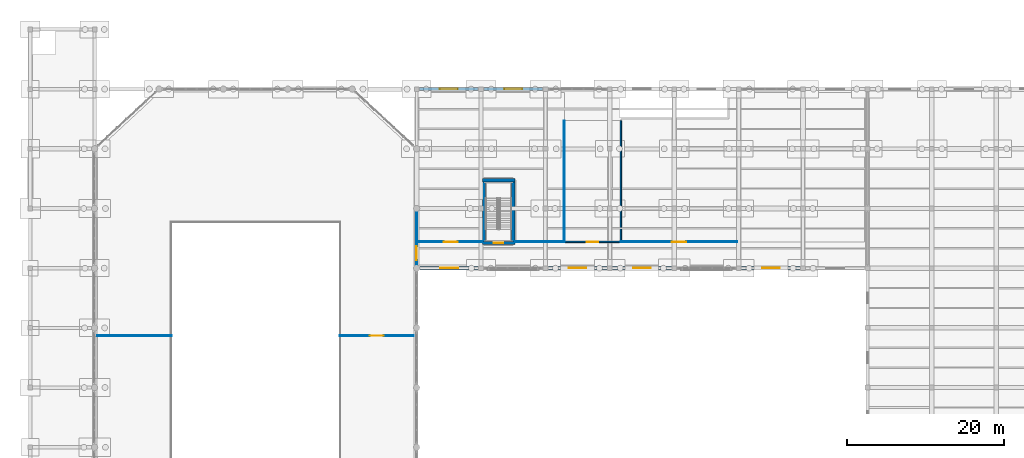
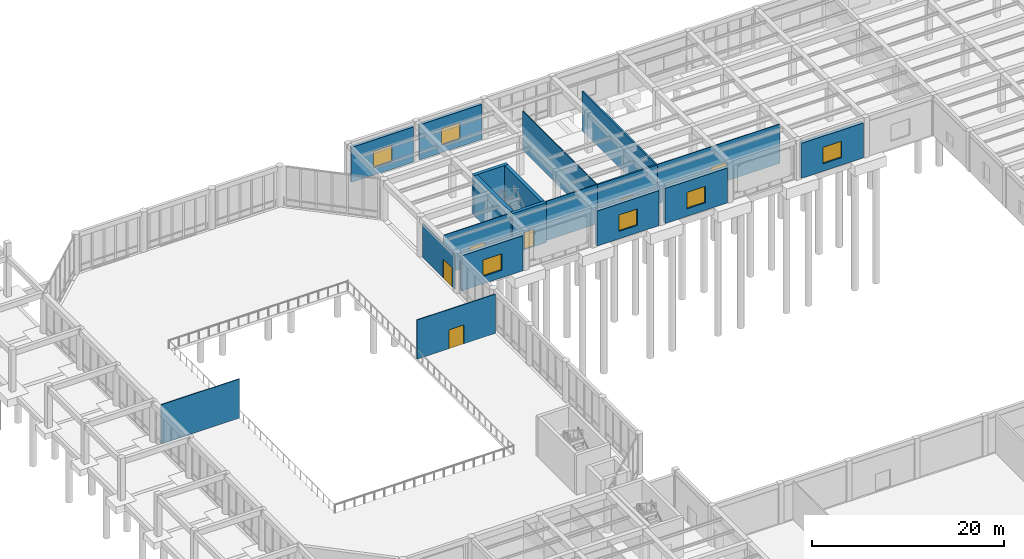
# One storey, part 45 of 64: 19 walls, 6 doors, 6 windows, 12 openings.
"""IFC4 building model written with IfcOpenShell, lengths in metres."""

from ifc_helpers import new_model, si_unit, direction, frame, frame_2d, origin, place, context, subcontext, project, spatial, rectangle, extrude, material, layer, layer_set, type_object, element, fill, save


model = new_model("IFC4")

# Units and contexts
model_context = context("Model", 3, precision=1e-05, world=origin(), true_north=direction((0.0, 1.0)))
body_context = subcontext(model_context, "Body", "Model", "MODEL_VIEW")
ifc_project = project(units=[si_unit("LENGTHUNIT", "METRE"), si_unit("AREAUNIT", "SQUARE_METRE"), si_unit("VOLUMEUNIT", "CUBIC_METRE"), si_unit("PLANEANGLEUNIT", "RADIAN"), si_unit("MASSUNIT", "GRAM", prefix="KILO")], contexts=[model_context])

# Site, building, storey
site_placement = place(None, origin())
site = spatial("IfcSite", under=ifc_project, at=site_placement, CompositionType="ELEMENT")
building_placement = place(site_placement, origin())
building = spatial("IfcBuilding", under=site, at=building_placement, Name="Qandaris Square Conservatory and Botanical Centre", CompositionType="ELEMENT")
storey_placement = place(building_placement, origin())
storey = spatial("IfcBuildingStorey", under=building, at=storey_placement, Name="L00", CompositionType="ELEMENT", Elevation=0.0)

# Wall, opening, window
ifc_material_1 = material(Name="Precast concrete C40/50", Category="concrete")
ifc_layer_1 = layer(ifc_material_1, 0.360107421875)
ifc_layer_set_1 = layer_set([ifc_layer_1], Name="Precast concrete C40/50")
wall_type_1 = type_object("IfcWallType", Name="Architectural Precast Cladding Wall 360mm", PredefinedType="SOLIDWALL", material=ifc_layer_set_1)
wall_1_placement = place(storey_placement, frame((73.239990234375, 115.39990234375, 0.0), z_axis=(0.0, 0.0, 1.0), x_axis=(-1.0, 0.0, 0.0)))
wall_1 = element("IfcWall", 1, at=wall_1_placement, inside=storey, type_object=wall_type_1, Name="Exterior Wall EW-V3B-L00-3-6", PredefinedType="SOLIDWALL", context=body_context, shape_type="SweptSolid", body=[
    extrude(rectangle(XDim=7.47998046875, YDim=0.360107421875, at=frame_2d((3.739990234375, 0.0))), origin(), (0.0, 0.0, 1.0), 4.465087890625),
])
opening_1_placement = place(wall_1_placement, frame((2.614990234375, 0.0, 0.949951171875)))
opening_1 = element("IfcOpeningElement", 2, at=opening_1_placement, cuts=wall_1, Name="Opening WN-12", PredefinedType="OPENING", context=body_context, shape_type="SweptSolid", body=[
    extrude(rectangle(XDim=2.25, YDim=2.10009765625, at=frame_2d((1.125, 1.050048828125))), frame((0.0, 0.19189453125, 0.0), z_axis=(0.0, -1.0, 0.0), x_axis=(1.0, 0.0, 0.0)), (0.0, 0.0, 1.0), 0.384033203125),
])
ifc_material_2 = material(Name="Tempered Low-E Glass", Category="glass")
window_type = type_object("IfcWindowType", Name="Cafe Shaded Court Window 2250x2100", PartitioningType="DOUBLE_PANEL_VERTICAL", PredefinedType="WINDOW", material=ifc_material_2)
window_1_placement = place(opening_1_placement, origin())
window_1 = element("IfcWindow", 3, at=window_1_placement, inside=storey, type_object=window_type, Name="Window EW-V3B-L00-3-6", OverallHeight=2.10009765625, OverallWidth=2.25, PartitioningType="DOUBLE_PANEL_VERTICAL", PredefinedType="WINDOW", context=body_context, shape_type="SweptSolid", body=[
    extrude(rectangle(XDim=2.25, YDim=2.10009765625, at=frame_2d((1.125, 1.050048828125))), frame((0.0, 0.030029296875, 0.0), z_axis=(0.0, -1.0, 0.0), x_axis=(1.0, 0.0, 0.0)), (0.0, 0.0, 1.0), 0.06005859375),
])
fill(opening_1, window_1)

wall_2_placement = place(storey_placement, frame((65.0400390625, 115.39990234375, 0.0), z_axis=(0.0, 0.0, 1.0), x_axis=(-1.0, 0.0, 0.0)))
wall_2 = element("IfcWall", 4, at=wall_2_placement, inside=storey, type_object=wall_type_1, Name="Exterior Wall EW-V3B-L00-3-7", PredefinedType="SOLIDWALL", context=body_context, shape_type="SweptSolid", body=[
    extrude(rectangle(XDim=7.47998046875, YDim=0.360107421875, at=frame_2d((3.739990234375, 0.0))), origin(), (0.0, 0.0, 1.0), 4.465087890625),
])
opening_2_placement = place(wall_2_placement, frame((2.614990234375, 0.0, 0.949951171875)))
opening_2 = element("IfcOpeningElement", 5, at=opening_2_placement, cuts=wall_2, Name="Opening WN-12", PredefinedType="OPENING", context=body_context, shape_type="SweptSolid", body=[
    extrude(rectangle(XDim=2.25, YDim=2.10009765625, at=frame_2d((1.125, 1.050048828125))), frame((0.0, 0.19189453125, 0.0), z_axis=(0.0, -1.0, 0.0), x_axis=(1.0, 0.0, 0.0)), (0.0, 0.0, 1.0), 0.384033203125),
])
window_2_placement = place(opening_2_placement, origin())
window_2 = element("IfcWindow", 6, at=window_2_placement, inside=storey, type_object=window_type, Name="Window EW-V3B-L00-3-7", OverallHeight=2.10009765625, OverallWidth=2.25, PartitioningType="DOUBLE_PANEL_VERTICAL", PredefinedType="WINDOW", context=body_context, shape_type="SweptSolid", body=[
    extrude(rectangle(XDim=2.25, YDim=2.10009765625, at=frame_2d((1.125, 1.050048828125))), frame((0.0, 0.030029296875, 0.0), z_axis=(0.0, -1.0, 0.0), x_axis=(1.0, 0.0, 0.0)), (0.0, 0.0, 1.0), 0.06005859375),
])
fill(opening_2, window_2)

# Wall, opening, door
ifc_layer_2 = layer(ifc_material_2, 0.10009765625)
ifc_layer_set_2 = layer_set([ifc_layer_2], Name="Tempered Low-E Glass")
wall_type_2 = type_object("IfcWallType", Name="Framed Acoustic Glazed Gallery Screen 100mm", PredefinedType="PARTITIONING", material=ifc_layer_set_2)
wall_3_placement = place(storey_placement, frame((57.199951171875, 93.050048828125, 0.0), z_axis=(0.0, 0.0, 1.0), x_axis=(0.0, 1.0, 0.0)))
wall_3 = element("IfcWall", 7, at=wall_3_placement, inside=storey, type_object=wall_type_2, Name="Compartment Wall PW-V1V3B-L00", PredefinedType="PARTITIONING", context=body_context, shape_type="SweptSolid", body=[
    extrude(rectangle(XDim=6.699951171875, YDim=0.10009765625, at=frame_2d((3.35009765625, 0.0))), origin(), (0.0, 0.0, 1.0), 4.3349609375),
])
opening_3_placement = place(wall_3_placement, frame((0.550048828125, 0.0, 0.0)))
opening_3 = element("IfcOpeningElement", 8, at=opening_3_placement, cuts=wall_3, Name="Opening D-GL1", PredefinedType="OPENING", context=body_context, shape_type="SweptSolid", body=[
    extrude(rectangle(XDim=1.800048828125, YDim=2.39990234375, at=frame_2d((0.89990234375, 1.199951171875))), frame((0.0, 0.06201171875, 0.0), z_axis=(0.0, -1.0, 0.0), x_axis=(1.0, 0.0, 0.0)), (0.0, 0.0, 1.0), 0.1240234375),
])
ifc_material_3 = material(Name="Anodised Aluminium", Category="aluminium")
door_type_1 = type_object("IfcDoorType", Name="Visitor Gallery Glazed Double Door 1800x2400", OperationType="DOUBLE_DOOR_SINGLE_SWING", PredefinedType="DOOR", material=ifc_material_3)
door_1_placement = place(opening_3_placement, origin())
door_1 = element("IfcDoor", 9, at=door_1_placement, inside=storey, type_object=door_type_1, Name="DR-0047 Inter-Volume Connecting Door PVD-L00-V1V3B", OperationType="DOUBLE_DOOR_SINGLE_SWING", OverallHeight=2.39990234375, OverallWidth=1.800048828125, PredefinedType="DOOR", context=body_context, shape_type="SweptSolid", body=[
    extrude(rectangle(XDim=1.800048828125, YDim=2.39990234375, at=frame_2d((0.89990234375, 1.199951171875))), frame((0.0, 0.02490234375, 0.0), z_axis=(0.0, -1.0, 0.0), x_axis=(1.0, 0.0, 0.0)), (0.0, 0.0, 1.0), 0.050048828125),
])
fill(opening_3, door_1)

wall_4_placement = place(storey_placement, frame((47.39990234375, 84.0, 0.0), z_axis=(0.0, 0.0, 1.0), x_axis=(1.0, 0.0, 0.0)))
wall_4 = element("IfcWall", 10, at=wall_4_placement, inside=storey, type_object=wall_type_2, Name="Interior Partition IW-L00-0069", PredefinedType="PARTITIONING", context=body_context, shape_type="SweptSolid", body=[
    extrude(rectangle(XDim=9.4501953125, YDim=0.10009765625, at=frame_2d((4.72509765625, 0.0))), origin(), (0.0, 0.0, 1.0), 5.0048828125),
])
opening_4_placement = place(wall_4_placement, frame((3.824951171875, 0.0, 0.0)))
opening_4 = element("IfcOpeningElement", 11, at=opening_4_placement, cuts=wall_4, Name="Opening D-GL1", PredefinedType="OPENING", context=body_context, shape_type="SweptSolid", body=[
    extrude(rectangle(XDim=1.800048828125, YDim=2.39990234375, at=frame_2d((0.89990234375, 1.199951171875))), frame((0.0, 0.06201171875, 0.0), z_axis=(0.0, -1.0, 0.0), x_axis=(1.0, 0.0, 0.0)), (0.0, 0.0, 1.0), 0.1240234375),
])
door_2_placement = place(opening_4_placement, origin())
door_2 = element("IfcDoor", 12, at=door_2_placement, inside=storey, type_object=door_type_1, Name="DR-0040 Conservatory Arid and Oasis Biome Hall Door", OperationType="DOUBLE_DOOR_SINGLE_SWING", OverallHeight=2.39990234375, OverallWidth=1.800048828125, PredefinedType="DOOR", context=body_context, shape_type="SweptSolid", body=[
    extrude(rectangle(XDim=1.800048828125, YDim=2.39990234375, at=frame_2d((0.89990234375, 1.199951171875))), frame((0.0, 0.02490234375, 0.0), z_axis=(0.0, -1.0, 0.0), x_axis=(1.0, 0.0, 0.0)), (0.0, 0.0, 1.0), 0.050048828125),
])
fill(opening_4, door_2)

# Wall
wall_5_placement = place(storey_placement, frame((16.550048828125, 84.0, 0.0), z_axis=(0.0, 0.0, 1.0), x_axis=(1.0, 0.0, 0.0)))
element("IfcWall", 13, at=wall_5_placement, inside=storey, type_object=wall_type_2, Name="Interior Partition IW-L00-0070", PredefinedType="PARTITIONING", context=body_context, shape_type="SweptSolid", body=[
    extrude(rectangle(XDim=9.449951171875, YDim=0.10009765625, at=frame_2d((4.72509765625, 0.0))), origin(), (0.0, 0.0, 1.0), 5.0048828125),
])

# Wall, opening, door
wall_6_placement = place(storey_placement, frame((57.5, 95.949951171875, 0.0), z_axis=(0.0, 0.0, 1.0), x_axis=(1.0, 0.0, 0.0)))
wall_6 = element("IfcWall", 14, at=wall_6_placement, inside=storey, type_object=wall_type_2, Name="Interior Partition IW-L00-0090", PredefinedType="PARTITIONING", context=body_context, shape_type="SweptSolid", body=[
    extrude(rectangle(XDim=8.10009765625, YDim=0.10009765625, at=frame_2d((4.050048828125, 0.0))), origin(), (0.0, 0.0, 1.0), 5.0048828125),
])
opening_5_placement = place(wall_6_placement, frame((3.14990234375, 0.0, 0.0)))
opening_5 = element("IfcOpeningElement", 15, at=opening_5_placement, cuts=wall_6, Name="Opening D-GL1", PredefinedType="OPENING", context=body_context, shape_type="SweptSolid", body=[
    extrude(rectangle(XDim=1.800048828125, YDim=2.39990234375, at=frame_2d((0.89990234375, 1.199951171875))), frame((0.0, 0.06201171875, 0.0), z_axis=(0.0, -1.0, 0.0), x_axis=(1.0, 0.0, 0.0)), (0.0, 0.0, 1.0), 0.1240234375),
])
door_3_placement = place(opening_5_placement, frame((1.800048828125, 0.0, 0.0), z_axis=(0.0, 0.0, 1.0), x_axis=(-1.0, 0.0, 0.0)))
door_3 = element("IfcDoor", 16, at=door_3_placement, inside=storey, type_object=door_type_1, Name="DR-0045 Shaded Court Botanical Cafe Door", OperationType="DOUBLE_DOOR_SINGLE_SWING", OverallHeight=2.39990234375, OverallWidth=1.800048828125, PredefinedType="DOOR", context=body_context, shape_type="SweptSolid", body=[
    extrude(rectangle(XDim=1.800048828125, YDim=2.39990234375, at=frame_2d((0.89990234375, 1.199951171875))), frame((0.0, 0.02490234375, 0.0), z_axis=(0.0, -1.0, 0.0), x_axis=(1.0, 0.0, 0.0)), (0.0, 0.0, 1.0), 0.050048828125),
])
fill(opening_5, door_3)

# Wall
wall_7_placement = place(storey_placement, frame((69.699951171875, 95.949951171875, 0.0), z_axis=(0.0, 0.0, 1.0), x_axis=(1.0, 0.0, 0.0)))
element("IfcWall", 17, at=wall_7_placement, inside=storey, type_object=wall_type_2, Name="Interior Partition IW-L00-0091", PredefinedType="PARTITIONING", context=body_context, shape_type="SweptSolid", body=[
    extrude(rectangle(XDim=6.300048828125, YDim=0.10009765625, at=frame_2d((3.14990234375, 0.0))), origin(), (0.0, 0.0, 1.0), 5.0048828125),
])

# Wall, opening, door
wall_8_placement = place(storey_placement, frame((83.199951171875, 95.949951171875, 0.0), z_axis=(0.0, 0.0, 1.0), x_axis=(1.0, 0.0, 0.0)))
wall_8 = element("IfcWall", 18, at=wall_8_placement, inside=storey, type_object=wall_type_2, Name="Interior Partition IW-L00-0093", PredefinedType="PARTITIONING", context=body_context, shape_type="SweptSolid", body=[
    extrude(rectangle(XDim=14.800048828125, YDim=0.10009765625, at=frame_2d((7.39990234375, 0.0))), origin(), (0.0, 0.0, 1.0), 5.0048828125),
])
opening_6_placement = place(wall_8_placement, frame((6.5, 0.0, 0.0)))
opening_6 = element("IfcOpeningElement", 19, at=opening_6_placement, cuts=wall_8, Name="Opening D-GL1", PredefinedType="OPENING", context=body_context, shape_type="SweptSolid", body=[
    extrude(rectangle(XDim=1.800048828125, YDim=2.39990234375, at=frame_2d((0.89990234375, 1.199951171875))), frame((0.0, 0.06201171875, 0.0), z_axis=(0.0, -1.0, 0.0), x_axis=(1.0, 0.0, 0.0)), (0.0, 0.0, 1.0), 0.1240234375),
])
door_4_placement = place(opening_6_placement, frame((1.800048828125, 0.0, 0.0), z_axis=(0.0, 0.0, 1.0), x_axis=(-1.0, 0.0, 0.0)))
door_4 = element("IfcDoor", 20, at=door_4_placement, inside=storey, type_object=door_type_1, Name="DR-0046 Visitor Centre Parkland Exhibition Gallery Door", OperationType="DOUBLE_DOOR_SINGLE_SWING", OverallHeight=2.39990234375, OverallWidth=1.800048828125, PredefinedType="DOOR", context=body_context, shape_type="SweptSolid", body=[
    extrude(rectangle(XDim=1.800048828125, YDim=2.39990234375, at=frame_2d((0.89990234375, 1.199951171875))), frame((0.0, 0.02490234375, 0.0), z_axis=(0.0, -1.0, 0.0), x_axis=(1.0, 0.0, 0.0)), (0.0, 0.0, 1.0), 0.050048828125),
])
fill(opening_6, door_4)

# Wall
wall_9_placement = place(storey_placement, frame((76.0, 111.39990234375, 0.0), z_axis=(0.0, 0.0, 1.0), x_axis=(0.0, -1.0, 0.0)))
element("IfcWall", 21, at=wall_9_placement, inside=storey, type_object=wall_type_2, Name="Interior Partition IW-L00-0094", PredefinedType="PARTITIONING", context=body_context, shape_type="SweptSolid", body=[
    extrude(rectangle(XDim=15.449951171875, YDim=0.10009765625, at=frame_2d((7.72509765625, 0.0))), origin(), (0.0, 0.0, 1.0), 5.0048828125),
])

# Wall, opening, door
ifc_material_4 = material(Name="Concrete C40/50", Category="concrete")
ifc_layer_3 = layer(ifc_material_4, 0.199951171875)
ifc_layer_set_3 = layer_set([ifc_layer_3], Name="Concrete C40/50")
wall_type_3 = type_object("IfcWallType", Name="Herbarium & Plant Compartment Wall 200mm", PredefinedType="PARTITIONING", material=ifc_layer_set_3)
wall_10_placement = place(storey_placement, frame((76.0, 95.949951171875, 0.0), z_axis=(0.0, 0.0, 1.0), x_axis=(1.0, 0.0, 0.0)))
wall_10 = element("IfcWall", 22, at=wall_10_placement, inside=storey, type_object=wall_type_3, Name="Interior Partition IW-L00-0092", PredefinedType="PARTITIONING", context=body_context, shape_type="SweptSolid", body=[
    extrude(rectangle(XDim=7.199951171875, YDim=0.199951171875, at=frame_2d((3.60009765625, 0.0))), origin(), (0.0, 0.0, 1.0), 5.0048828125),
])
opening_7_placement = place(wall_10_placement, frame((2.85009765625, 0.0, 0.0)))
opening_7 = element("IfcOpeningElement", 23, at=opening_7_placement, cuts=wall_10, Name="Opening D-PLT1", PredefinedType="OPENING", context=body_context, shape_type="SweptSolid", body=[
    extrude(rectangle(XDim=1.5, YDim=2.199951171875, at=frame_2d((0.75, 1.10009765625))), frame((0.0, 0.11181640625, 0.0), z_axis=(0.0, -1.0, 0.0), x_axis=(1.0, 0.0, 0.0)), (0.0, 0.0, 1.0), 0.223876953125),
])
ifc_material_5 = material(Name="Steel S355", Category="steel")
door_type_2 = type_object("IfcDoorType", Name="Plant & Riser Double Fire Door 1500x2200", OperationType="DOUBLE_DOOR_SINGLE_SWING", PredefinedType="DOOR", material=ifc_material_5)
door_5_placement = place(opening_7_placement, origin())
door_5 = element("IfcDoor", 24, at=door_5_placement, inside=storey, type_object=door_type_2, Name="DR-0055 Cafe Preparation Kitchen Door", OperationType="DOUBLE_DOOR_SINGLE_SWING", OverallHeight=2.199951171875, OverallWidth=1.5, PredefinedType="DOOR", context=body_context, shape_type="SweptSolid", body=[
    extrude(rectangle(XDim=1.5, YDim=2.199951171875, at=frame_2d((0.75, 1.10009765625))), frame((0.0, 0.02490234375, 0.0), z_axis=(0.0, -1.0, 0.0), x_axis=(1.0, 0.0, 0.0)), (0.0, 0.0, 1.0), 0.050048828125),
])
fill(opening_7, door_5)

# Wall
wall_11_placement = place(storey_placement, frame((83.199951171875, 111.39990234375, 0.0), z_axis=(0.0, 0.0, 1.0), x_axis=(0.0, -1.0, 0.0)))
element("IfcWall", 25, at=wall_11_placement, inside=storey, type_object=wall_type_3, Name="Interior Partition IW-L00-0095", PredefinedType="PARTITIONING", context=body_context, shape_type="SweptSolid", body=[
    extrude(rectangle(XDim=15.449951171875, YDim=0.199951171875, at=frame_2d((7.72509765625, 0.0))), origin(), (0.0, 0.0, 1.0), 5.0048828125),
])

# Wall, opening, window
ifc_layer_4 = layer(ifc_material_4, 0.419921875)
ifc_layer_set_4 = layer_set([ifc_layer_4], Name="Concrete C40/50")
wall_type_4 = type_object("IfcWallType", Name="Insulated Qatari Limestone Cavity Wall 420mm", PredefinedType="SOLIDWALL", material=ifc_layer_set_4)
wall_12_placement = place(storey_placement, frame((57.659912109375, 92.60009765625, 0.0), z_axis=(0.0, 0.0, 1.0), x_axis=(1.0, 0.0, 0.0)))
wall_12 = element("IfcWall", 26, at=wall_12_placement, inside=storey, type_object=wall_type_4, Name="Exterior Wall EW-V3B-L00-1-1", PredefinedType="SOLIDWALL", context=body_context, shape_type="SweptSolid", body=[
    extrude(rectangle(XDim=7.380126953125, YDim=0.419921875, at=frame_2d((3.68994140625, 0.0))), origin(), (0.0, 0.0, 1.0), 4.465087890625),
])
opening_8_placement = place(wall_12_placement, frame((2.56494140625, 0.0, 0.949951171875)))
opening_8 = element("IfcOpeningElement", 27, at=opening_8_placement, cuts=wall_12, Name="Opening WN-12", PredefinedType="OPENING", context=body_context, shape_type="SweptSolid", body=[
    extrude(rectangle(XDim=2.25, YDim=2.10009765625, at=frame_2d((1.125, 1.050048828125))), frame((0.0, 0.221923828125, 0.0), z_axis=(0.0, -1.0, 0.0), x_axis=(1.0, 0.0, 0.0)), (0.0, 0.0, 1.0), 0.44384765625),
])
window_3_placement = place(opening_8_placement, origin())
window_3 = element("IfcWindow", 28, at=window_3_placement, inside=storey, type_object=window_type, Name="Window EW-V3B-L00-1-1", OverallHeight=2.10009765625, OverallWidth=2.25, PartitioningType="DOUBLE_PANEL_VERTICAL", PredefinedType="WINDOW", context=body_context, shape_type="SweptSolid", body=[
    extrude(rectangle(XDim=2.25, YDim=2.10009765625, at=frame_2d((1.125, 1.050048828125))), frame((0.0, 0.030029296875, 0.0), z_axis=(0.0, -1.0, 0.0), x_axis=(1.0, 0.0, 0.0)), (0.0, 0.0, 1.0), 0.06005859375),
])
fill(opening_8, window_3)

wall_13_placement = place(storey_placement, frame((73.9599609375, 92.60009765625, 0.0), z_axis=(0.0, 0.0, 1.0), x_axis=(1.0, 0.0, 0.0)))
wall_13 = element("IfcWall", 29, at=wall_13_placement, inside=storey, type_object=wall_type_4, Name="Exterior Wall EW-V3B-L00-1-3", PredefinedType="SOLIDWALL", context=body_context, shape_type="SweptSolid", body=[
    extrude(rectangle(XDim=7.47998046875, YDim=0.419921875, at=frame_2d((3.739990234375, 0.0))), origin(), (0.0, 0.0, 1.0), 4.465087890625),
])
opening_9_placement = place(wall_13_placement, frame((2.614990234375, 0.0, 0.949951171875)))
opening_9 = element("IfcOpeningElement", 30, at=opening_9_placement, cuts=wall_13, Name="Opening WN-12", PredefinedType="OPENING", context=body_context, shape_type="SweptSolid", body=[
    extrude(rectangle(XDim=2.25, YDim=2.10009765625, at=frame_2d((1.125, 1.050048828125))), frame((0.0, 0.221923828125, 0.0), z_axis=(0.0, -1.0, 0.0), x_axis=(1.0, 0.0, 0.0)), (0.0, 0.0, 1.0), 0.44384765625),
])
window_4_placement = place(opening_9_placement, origin())
window_4 = element("IfcWindow", 31, at=window_4_placement, inside=storey, type_object=window_type, Name="Window EW-V3B-L00-1-3", OverallHeight=2.10009765625, OverallWidth=2.25, PartitioningType="DOUBLE_PANEL_VERTICAL", PredefinedType="WINDOW", context=body_context, shape_type="SweptSolid", body=[
    extrude(rectangle(XDim=2.25, YDim=2.10009765625, at=frame_2d((1.125, 1.050048828125))), frame((0.0, 0.030029296875, 0.0), z_axis=(0.0, -1.0, 0.0), x_axis=(1.0, 0.0, 0.0)), (0.0, 0.0, 1.0), 0.06005859375),
])
fill(opening_9, window_4)

wall_14_placement = place(storey_placement, frame((82.159912109375, 92.60009765625, 0.0), z_axis=(0.0, 0.0, 1.0), x_axis=(1.0, 0.0, 0.0)))
wall_14 = element("IfcWall", 32, at=wall_14_placement, inside=storey, type_object=wall_type_4, Name="Exterior Wall EW-V3B-L00-1-4", PredefinedType="SOLIDWALL", context=body_context, shape_type="SweptSolid", body=[
    extrude(rectangle(XDim=7.47998046875, YDim=0.419921875, at=frame_2d((3.739990234375, 0.0))), origin(), (0.0, 0.0, 1.0), 4.465087890625),
])
opening_10_placement = place(wall_14_placement, frame((2.614990234375, 0.0, 0.949951171875)))
opening_10 = element("IfcOpeningElement", 33, at=opening_10_placement, cuts=wall_14, Name="Opening WN-12", PredefinedType="OPENING", context=body_context, shape_type="SweptSolid", body=[
    extrude(rectangle(XDim=2.25, YDim=2.10009765625, at=frame_2d((1.125, 1.050048828125))), frame((0.0, 0.221923828125, 0.0), z_axis=(0.0, -1.0, 0.0), x_axis=(1.0, 0.0, 0.0)), (0.0, 0.0, 1.0), 0.44384765625),
])
window_5_placement = place(opening_10_placement, origin())
window_5 = element("IfcWindow", 34, at=window_5_placement, inside=storey, type_object=window_type, Name="Window EW-V3B-L00-1-4", OverallHeight=2.10009765625, OverallWidth=2.25, PartitioningType="DOUBLE_PANEL_VERTICAL", PredefinedType="WINDOW", context=body_context, shape_type="SweptSolid", body=[
    extrude(rectangle(XDim=2.25, YDim=2.10009765625, at=frame_2d((1.125, 1.050048828125))), frame((0.0, 0.030029296875, 0.0), z_axis=(0.0, -1.0, 0.0), x_axis=(1.0, 0.0, 0.0)), (0.0, 0.0, 1.0), 0.06005859375),
])
fill(opening_10, window_5)

wall_15_placement = place(storey_placement, frame((98.56005859375, 92.60009765625, 0.0), z_axis=(0.0, 0.0, 1.0), x_axis=(1.0, 0.0, 0.0)))
wall_15 = element("IfcWall", 35, at=wall_15_placement, inside=storey, type_object=wall_type_4, Name="Exterior Wall EW-V3B-L00-1-6", PredefinedType="SOLIDWALL", context=body_context, shape_type="SweptSolid", body=[
    extrude(rectangle(XDim=7.47998046875, YDim=0.419921875, at=frame_2d((3.739990234375, 0.0))), origin(), (0.0, 0.0, 1.0), 4.465087890625),
])
opening_11_placement = place(wall_15_placement, frame((2.614990234375, 0.0, 0.949951171875)))
opening_11 = element("IfcOpeningElement", 36, at=opening_11_placement, cuts=wall_15, Name="Opening WN-12", PredefinedType="OPENING", context=body_context, shape_type="SweptSolid", body=[
    extrude(rectangle(XDim=2.25, YDim=2.10009765625, at=frame_2d((1.125, 1.050048828125))), frame((0.0, 0.221923828125, 0.0), z_axis=(0.0, -1.0, 0.0), x_axis=(1.0, 0.0, 0.0)), (0.0, 0.0, 1.0), 0.44384765625),
])
window_6_placement = place(opening_11_placement, origin())
window_6 = element("IfcWindow", 37, at=window_6_placement, inside=storey, type_object=window_type, Name="Window EW-V3B-L00-1-6", OverallHeight=2.10009765625, OverallWidth=2.25, PartitioningType="DOUBLE_PANEL_VERTICAL", PredefinedType="WINDOW", context=body_context, shape_type="SweptSolid", body=[
    extrude(rectangle(XDim=2.25, YDim=2.10009765625, at=frame_2d((1.125, 1.050048828125))), frame((0.0, 0.030029296875, 0.0), z_axis=(0.0, -1.0, 0.0), x_axis=(1.0, 0.0, 0.0)), (0.0, 0.0, 1.0), 0.06005859375),
])
fill(opening_11, window_6)

# Wall, opening, door
ifc_material_6 = material(Name="Concrete C50/60", Category="concrete")
ifc_layer_5 = layer(ifc_material_6, 0.39990234375)
ifc_layer_set_5 = layer_set([ifc_layer_5], Name="Concrete C50/60")
wall_type_5 = type_object("IfcWallType", Name="RC Stair Core Shear Wall 400mm", PredefinedType="SHEAR", material=ifc_layer_set_5)
wall_16_placement = place(storey_placement, frame((65.60009765625, 95.800048828125, 0.0), z_axis=(0.0, 0.0, 1.0), x_axis=(1.0, 0.0, 0.0)))
wall_16 = element("IfcWall", 38, at=wall_16_placement, inside=storey, type_object=wall_type_5, Name="ST-6 Core Shear Wall South (L00)", PredefinedType="SHEAR", context=body_context, shape_type="SweptSolid", body=[
    extrude(rectangle(XDim=4.099853515625, YDim=0.39990234375, at=frame_2d((2.0498046875, 0.0))), origin(), (0.0, 0.0, 1.0), 5.10009765625),
])
opening_12_placement = place(wall_16_placement, frame((1.449951171875, 0.0, 0.0)))
opening_12 = element("IfcOpeningElement", 39, at=opening_12_placement, cuts=wall_16, Name="Opening D-ST1", PredefinedType="OPENING", context=body_context, shape_type="SweptSolid", body=[
    extrude(rectangle(XDim=1.199951171875, YDim=2.199951171875, at=frame_2d((0.60009765625, 1.10009765625))), frame((0.0, 0.2119140625, 0.0), z_axis=(0.0, -1.0, 0.0), x_axis=(1.0, 0.0, 0.0)), (0.0, 0.0, 1.0), 0.423828125),
])
door_type_3 = type_object("IfcDoorType", Name="Exit Stair Core Fire Door 1200x2200", OperationType="NOTDEFINED", PredefinedType="DOOR", material=ifc_material_5)
door_6_placement = place(opening_12_placement, frame((1.199951171875, 0.0, 0.0), z_axis=(0.0, 0.0, 1.0), x_axis=(-1.0, 0.0, 0.0)))
door_6 = element("IfcDoor", 40, at=door_6_placement, inside=storey, type_object=door_type_3, Name="DR-0061 ST-6 Stair Core Door (L00)", OperationType="SINGLE_SWING_RIGHT", OverallHeight=2.199951171875, OverallWidth=1.199951171875, PredefinedType="DOOR", context=body_context, shape_type="SweptSolid", body=[
    extrude(rectangle(XDim=1.199951171875, YDim=2.199951171875, at=frame_2d((0.60009765625, 1.10009765625))), frame((0.0, 0.02490234375, 0.0), z_axis=(0.0, -1.0, 0.0), x_axis=(1.0, 0.0, 0.0)), (0.0, 0.0, 1.0), 0.050048828125),
])
fill(opening_12, door_6)

# Walls
wall_17_placement = place(storey_placement, frame((65.60009765625, 103.800048828125, 0.0), z_axis=(0.0, 0.0, 1.0), x_axis=(1.0, 0.0, 0.0)))
element("IfcWall", 41, at=wall_17_placement, inside=storey, type_object=wall_type_5, Name="ST-6 Core Shear Wall North (L00)", PredefinedType="SHEAR", context=body_context, shape_type="SweptSolid", body=[
    extrude(rectangle(XDim=4.099853515625, YDim=0.39990234375, at=frame_2d((2.0498046875, 0.0))), origin(), (0.0, 0.0, 1.0), 5.10009765625),
])
for number, where, z_axis, x_axis, name in (
    (42, (65.800048828125, 96.0, 0.0), (0.0, 0.0, 1.0), (0.0, 1.0, 0.0), "ST-6 Core Shear Wall West (L00)"),
    (43, (69.5, 96.0, 0.0), (0.0, 0.0, 1.0), (0.0, 1.0, 0.0), "ST-6 Core Shear Wall East (L00)"),
):
    element("IfcWall", number, at=place(storey_placement, frame(where, z_axis=z_axis, x_axis=x_axis)), inside=storey, type_object=wall_type_5, Name=name, PredefinedType="SHEAR", context=body_context, shape_type="SweptSolid", body=[
        extrude(rectangle(XDim=7.60009765625, YDim=0.39990234375, at=frame_2d((3.800048828125, 0.0))), origin(), (0.0, 0.0, 1.0), 5.10009765625),
    ])

save(model, "model.ifc")
